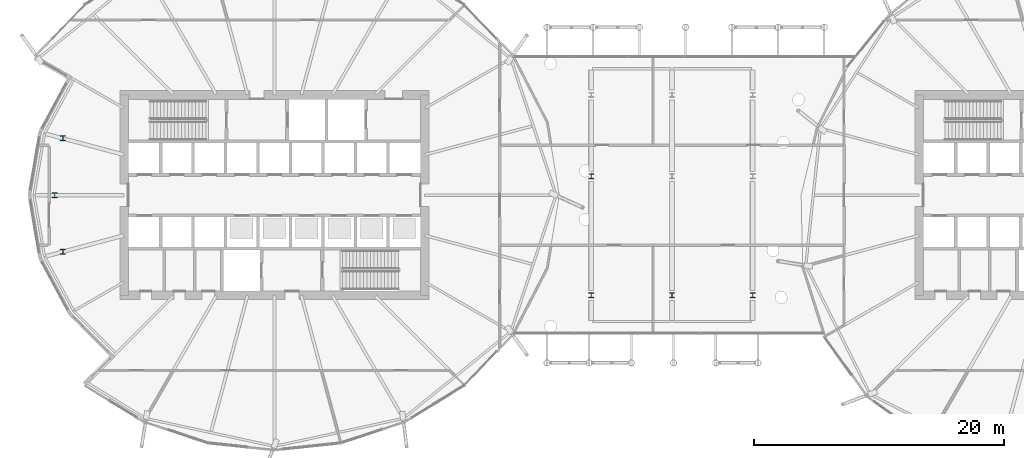
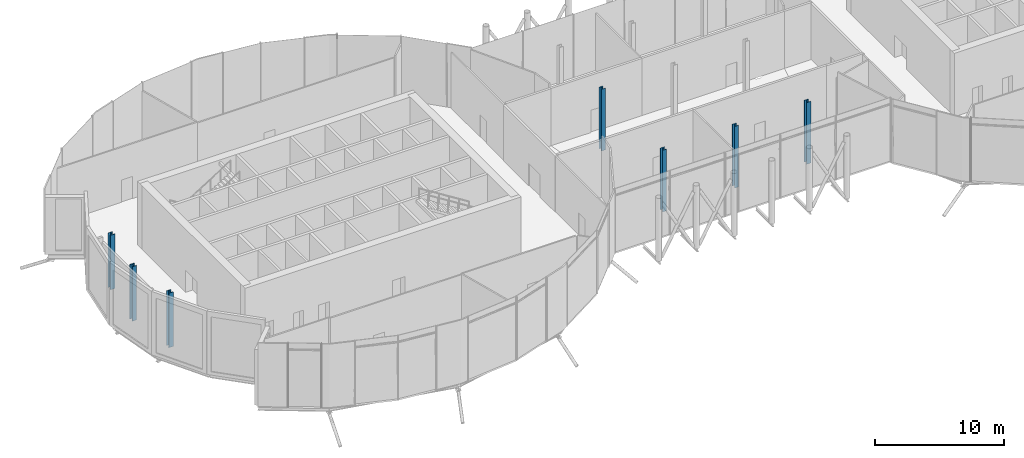
# One storey, part 1 of 38: 7 columns.
"""IFC4 building model written with IfcOpenShell, lengths in metres."""

from ifc_helpers import new_model, si_unit, direction, frame, origin, origin_2d, place, context, subcontext, project, spatial, i_section, extrude, material, material_profile, profile_set, type_object, element, save


model = new_model("IFC4")

# Units and contexts
model_context = context("Model", 3, precision=1e-05, world=origin(), true_north=direction((0.0, 1.0)))
body_context = subcontext(model_context, "Body", "Model", "MODEL_VIEW")
ifc_project = project(units=[si_unit("LENGTHUNIT", "METRE"), si_unit("AREAUNIT", "SQUARE_METRE"), si_unit("VOLUMEUNIT", "CUBIC_METRE"), si_unit("PLANEANGLEUNIT", "RADIAN"), si_unit("MASSUNIT", "GRAM", prefix="KILO")], contexts=[model_context])

# Site, building, storey
site_placement = place(None, origin())
site = spatial("IfcSite", under=ifc_project, at=site_placement, CompositionType="ELEMENT")
building_placement = place(site_placement, origin())
building = spatial("IfcBuilding", under=site, at=building_placement, Name="Rimbun Link Towers", CompositionType="ELEMENT")
storey_placement = place(building_placement, frame((0.0, 0.0, 133.199951171875)))
storey = spatial("IfcBuildingStorey", under=building, at=storey_placement, Name="L32", CompositionType="ELEMENT", Elevation=133.199951171875)

# Columns
ifc_material_1 = material(Name="Steel S355J2", Category="steel")
ifc_material_profile_1 = material_profile(ifc_material_1, i_section(OverallWidth=0.374755859375, OverallDepth=0.37451171875, WebThickness=0.0166015625, FlangeThickness=0.027099609375, at=origin_2d()), Name="UKC 356x368x202")
ifc_profile_set_1 = profile_set([ifc_material_profile_1], Name="Steel S355J2")
column_type_1 = type_object("IfcColumnType", Name="Link column UKC 356x368x202", PredefinedType="COLUMN", material=ifc_profile_set_1)
for number, where, z_axis, x_axis, name in (
    (1, (-6.449951171875, -8.0, 0.0), (0.0, 0.0, 1.0), (1.0, 0.0, 0.0), "Link column L32 1-1"),
    (2, (-6.449951171875, 1.5, 0.0), (0.0, 0.0, 1.0), (1.0, 0.0, 0.0), "Link column L32 2-1"),
    (3, (0.0, -8.0, 0.0), (0.0, 0.0, 1.0), (1.0, 0.0, 0.0), "Link column L32 1-2"),
    (4, (6.449951171875, -8.0, 0.0), (0.0, 0.0, 1.0), (1.0, 0.0, 0.0), "Link column L32 1-3"),
):
    element("IfcColumn", number, at=place(storey_placement, frame(where, z_axis=z_axis, x_axis=x_axis)), inside=storey, type_object=column_type_1, Name=name, PredefinedType="COLUMN", context=body_context, shape_type="SweptSolid", body=[
        extrude(i_section(OverallWidth=0.374755859375, OverallDepth=0.37451171875, WebThickness=0.0166015625, FlangeThickness=0.027099609375, at=origin_2d()), origin(), (0.0, 0.0, 1.0), 5.840087890625),
    ])
ifc_material_2 = material(Name="Steel S355J2", Category="steel")
ifc_material_profile_2 = material_profile(ifc_material_2, i_section(OverallWidth=0.39892578125, OverallDepth=0.3935546875, WebThickness=0.022705078125, FlangeThickness=0.03662109375, at=origin_2d()), Name="UC 356x406x287")
ifc_profile_set_2 = profile_set([ifc_material_profile_2], Name="Steel S355J2")
column_type_2 = type_object("IfcColumnType", Name="UC 356x406x287", PredefinedType="COLUMN", material=ifc_profile_set_2)
for number, where, z_axis, x_axis, name in (
    (5, (-48.638916015625, 4.525390625, -0.179931640625), (0.0, 0.0, 1.0), (1.0, 0.0, 0.0), "Crease post T1 L32 11"),
    (6, (-49.298095703125, 0.0, -0.179931640625), (0.0, 0.0, 1.0), (1.0, 0.0, 0.0), "Crease post T1 L32 12"),
    (7, (-48.638916015625, -4.525390625, -0.179931640625), (0.0, 0.0, 1.0), (1.0, 0.0, 0.0), "Crease post T1 L32 13"),
):
    element("IfcColumn", number, at=place(storey_placement, frame(where, z_axis=z_axis, x_axis=x_axis)), inside=storey, type_object=column_type_2, Name=name, PredefinedType="COLUMN", context=body_context, shape_type="SweptSolid", body=[
        extrude(i_section(OverallWidth=0.39892578125, OverallDepth=0.3935546875, WebThickness=0.022705078125, FlangeThickness=0.03662109375, at=origin_2d()), origin(), (0.0, 0.0, 1.0), 5.1591796875),
    ])

save(model, "model.ifc")
